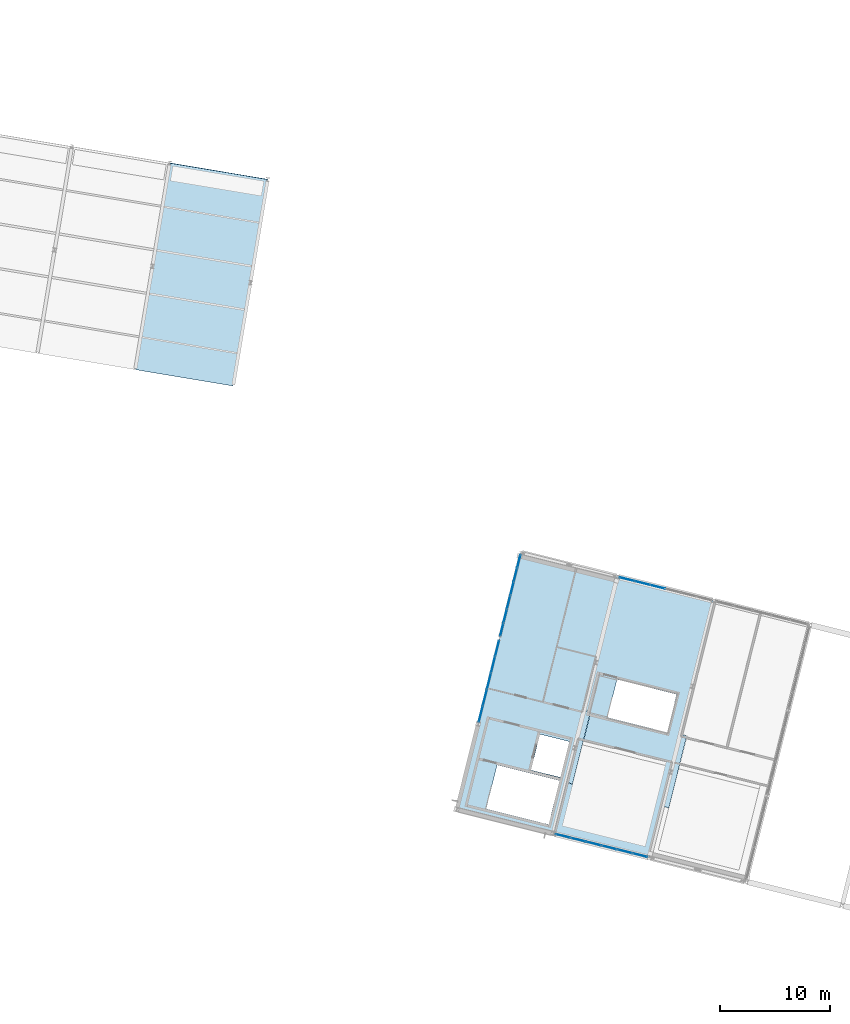
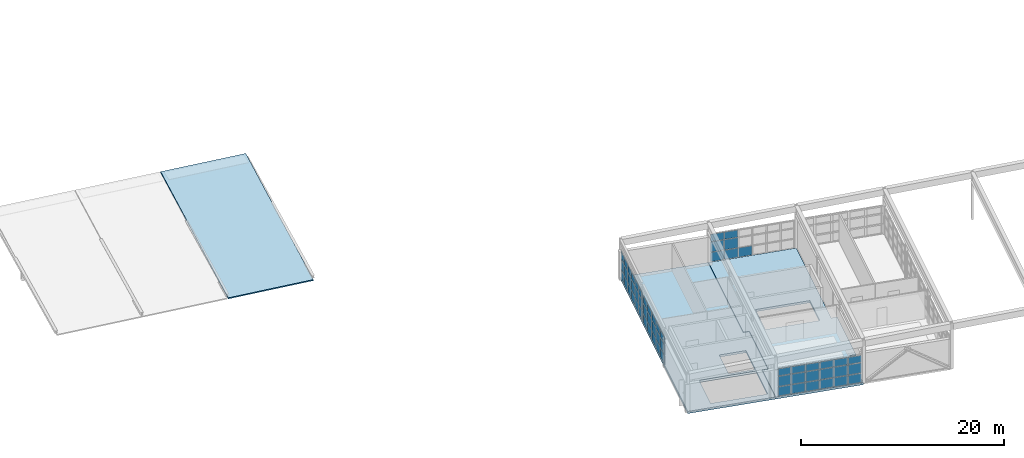
# One storey, part 19 of 27: 58 plates, 3 slabs, 4 elements without a shape of their own.
"""IFC4 building model written with IfcOpenShell, lengths in metres."""

from ifc_helpers import new_model, si_unit, direction, frame, origin, origin_2d, place, context, subcontext, project, spatial, polyline, rectangle, outline, extrude, material, layer, layer_set, type_object, element, aggregate, save


model = new_model("IFC4")

# Units and contexts
model_context = context("Model", 3, precision=1e-05, world=origin(), true_north=direction((0.0, 1.0)))
body_context = subcontext(model_context, "Body", "Model", "MODEL_VIEW")
ifc_project = project(units=[si_unit("LENGTHUNIT", "METRE"), si_unit("AREAUNIT", "SQUARE_METRE"), si_unit("VOLUMEUNIT", "CUBIC_METRE"), si_unit("PLANEANGLEUNIT", "RADIAN"), si_unit("MASSUNIT", "GRAM", prefix="KILO")], contexts=[model_context])

# Site, building, storey
site_placement = place(None, origin())
site = spatial("IfcSite", under=ifc_project, at=site_placement, CompositionType="ELEMENT")
building_placement = place(site_placement, origin())
building = spatial("IfcBuilding", under=site, at=building_placement, Name="Vireo Bluff Cable Station", CompositionType="ELEMENT")
storey_placement = place(building_placement, frame((0.0, 0.0, 19.199951171875)))
storey = spatial("IfcBuildingStorey", under=building, at=storey_placement, Name="L04", CompositionType="ELEMENT", Elevation=19.199951171875)

# Curtain wall, plates
ifc_material_1 = material(Name="Anodized Aluminium 6063-T6", Category="aluminium")
ifc_layer_1 = layer(ifc_material_1, 0.179931640625, Name="Anodized Aluminium 6063-T6")
ifc_layer_set_1 = layer_set([ifc_layer_1], Name="Anodized Aluminium 6063-T6")
curtain_wall_type_1 = type_object("IfcCurtainWallType", Name="CW-UNIT-1500", PredefinedType="USERDEFINED", material=ifc_layer_set_1)
curtain_wall_1_placement = place(storey_placement, origin())
curtain_wall_1 = element("IfcCurtainWall", 1, at=curtain_wall_1_placement, inside=storey, type_object=curtain_wall_type_1, Name="V1 L04 south curtain wall CW-031", ObjectType="UNITISED CURTAIN WALL", PredefinedType="USERDEFINED")
ifc_material_2 = material(Name="Laminated Low-E Insulated Glass", Category="glass")
ifc_layer_2 = layer(ifc_material_2, 0.031982421875, Name="Laminated Low-E Insulated Glass")
ifc_layer_set_2 = layer_set([ifc_layer_2], Name="Laminated Low-E Insulated Glass")
plate_type_1 = type_object("IfcPlateType", Name="CWP-32-2", PredefinedType="CURTAIN_PANEL", material=ifc_layer_set_2)
plate_1_placement = place(storey_placement, frame((70.59326171875, 33.86279296875, 0.080078125), z_axis=(0.0, 0.0, 1.0), x_axis=(-0.970295730477, 0.241921878749, 0.0)))
plate_1 = element("IfcPlate", 2, at=plate_1_placement, type_object=plate_type_1, Name="CW-031 panel 1.1", PredefinedType="CURTAIN_PANEL", context=body_context, shape_type="SweptSolid", body=[
    extrude(rectangle(XDim=1.32861328125, YDim=0.031982421875, at=origin_2d()), origin(), (0.0, 0.0, 1.0), 1.070068359375),
])
plate_2_placement = place(storey_placement, frame((70.59326171875, 33.86279296875, 1.22998046875), z_axis=(0.0, 0.0, 1.0), x_axis=(-0.970295730477, 0.241921878749, 0.0)))
plate_2 = element("IfcPlate", 3, at=plate_2_placement, type_object=plate_type_1, Name="CW-031 panel 1.2", PredefinedType="CURTAIN_PANEL", context=body_context, shape_type="SweptSolid", body=[
    extrude(rectangle(XDim=1.32861328125, YDim=0.031982421875, at=origin_2d()), origin(), (0.0, 0.0, 1.0), 1.177978515625),
])
plate_3_placement = place(storey_placement, frame((70.59326171875, 33.86279296875, 2.488037109375), z_axis=(0.0, 0.0, 1.0), x_axis=(-0.970295730477, 0.241921878749, 0.0)))
plate_3 = element("IfcPlate", 4, at=plate_3_placement, type_object=plate_type_1, Name="CW-031 panel 1.3", PredefinedType="CURTAIN_PANEL", context=body_context, shape_type="SweptSolid", body=[
    extrude(rectangle(XDim=1.32861328125, YDim=0.031982421875, at=origin_2d()), origin(), (0.0, 0.0, 1.0), 0.83203125),
])
plate_4_placement = place(storey_placement, frame((69.207275390625, 34.20849609375, 0.080078125), z_axis=(0.0, 0.0, 1.0), x_axis=(-0.970295730477, 0.241921878749, 0.0)))
plate_4 = element("IfcPlate", 5, at=plate_4_placement, type_object=plate_type_1, Name="CW-031 panel 2.1", PredefinedType="CURTAIN_PANEL", context=body_context, shape_type="SweptSolid", body=[
    extrude(rectangle(XDim=1.368408203125, YDim=0.031982421875, at=origin_2d()), origin(), (0.0, 0.0, 1.0), 1.070068359375),
])
plate_5_placement = place(storey_placement, frame((69.207275390625, 34.20849609375, 1.22998046875), z_axis=(0.0, 0.0, 1.0), x_axis=(-0.970295730477, 0.241921878749, 0.0)))
plate_5 = element("IfcPlate", 6, at=plate_5_placement, type_object=plate_type_1, Name="CW-031 panel 2.2", PredefinedType="CURTAIN_PANEL", context=body_context, shape_type="SweptSolid", body=[
    extrude(rectangle(XDim=1.368408203125, YDim=0.031982421875, at=origin_2d()), origin(), (0.0, 0.0, 1.0), 1.177978515625),
])
plate_6_placement = place(storey_placement, frame((69.207275390625, 34.20849609375, 2.488037109375), z_axis=(0.0, 0.0, 1.0), x_axis=(-0.970295730477, 0.241921878749, 0.0)))
plate_6 = element("IfcPlate", 7, at=plate_6_placement, type_object=plate_type_1, Name="CW-031 panel 2.3", PredefinedType="CURTAIN_PANEL", context=body_context, shape_type="SweptSolid", body=[
    extrude(rectangle(XDim=1.368408203125, YDim=0.031982421875, at=origin_2d()), origin(), (0.0, 0.0, 1.0), 0.83203125),
])
plate_7_placement = place(storey_placement, frame((67.8017578125, 34.558837890625, 0.080078125), z_axis=(0.0, 0.0, 1.0), x_axis=(-0.970295730477, 0.241921878749, 0.0)))
plate_7 = element("IfcPlate", 8, at=plate_7_placement, type_object=plate_type_1, Name="CW-031 panel 3.1", PredefinedType="CURTAIN_PANEL", context=body_context, shape_type="SweptSolid", body=[
    extrude(rectangle(XDim=1.368408203125, YDim=0.031982421875, at=origin_2d()), origin(), (0.0, 0.0, 1.0), 1.070068359375),
])
plate_8_placement = place(storey_placement, frame((67.8017578125, 34.558837890625, 1.22998046875), z_axis=(0.0, 0.0, 1.0), x_axis=(-0.970295730477, 0.241921878749, 0.0)))
plate_8 = element("IfcPlate", 9, at=plate_8_placement, type_object=plate_type_1, Name="CW-031 panel 3.2", PredefinedType="CURTAIN_PANEL", context=body_context, shape_type="SweptSolid", body=[
    extrude(rectangle(XDim=1.368408203125, YDim=0.031982421875, at=origin_2d()), origin(), (0.0, 0.0, 1.0), 1.177978515625),
])
plate_9_placement = place(storey_placement, frame((67.8017578125, 34.558837890625, 2.488037109375), z_axis=(0.0, 0.0, 1.0), x_axis=(-0.970295730477, 0.241921878749, 0.0)))
plate_9 = element("IfcPlate", 10, at=plate_9_placement, type_object=plate_type_1, Name="CW-031 panel 3.3", PredefinedType="CURTAIN_PANEL", context=body_context, shape_type="SweptSolid", body=[
    extrude(rectangle(XDim=1.368408203125, YDim=0.031982421875, at=origin_2d()), origin(), (0.0, 0.0, 1.0), 0.83203125),
])
plate_10_placement = place(storey_placement, frame((66.396240234375, 34.9091796875, 0.080078125), z_axis=(0.0, 0.0, 1.0), x_axis=(-0.970295730477, 0.241921878749, 0.0)))
plate_10 = element("IfcPlate", 11, at=plate_10_placement, type_object=plate_type_1, Name="CW-031 panel 4.1", PredefinedType="CURTAIN_PANEL", context=body_context, shape_type="SweptSolid", body=[
    extrude(rectangle(XDim=1.368408203125, YDim=0.031982421875, at=origin_2d()), origin(), (0.0, 0.0, 1.0), 1.070068359375),
])
plate_11_placement = place(storey_placement, frame((66.396240234375, 34.9091796875, 1.22998046875), z_axis=(0.0, 0.0, 1.0), x_axis=(-0.970295730477, 0.241921878749, 0.0)))
plate_11 = element("IfcPlate", 12, at=plate_11_placement, type_object=plate_type_1, Name="CW-031 panel 4.2", PredefinedType="CURTAIN_PANEL", context=body_context, shape_type="SweptSolid", body=[
    extrude(rectangle(XDim=1.368408203125, YDim=0.031982421875, at=origin_2d()), origin(), (0.0, 0.0, 1.0), 1.177978515625),
])
plate_12_placement = place(storey_placement, frame((66.396240234375, 34.9091796875, 2.488037109375), z_axis=(0.0, 0.0, 1.0), x_axis=(-0.970295730477, 0.241921878749, 0.0)))
plate_12 = element("IfcPlate", 13, at=plate_12_placement, type_object=plate_type_1, Name="CW-031 panel 4.3", PredefinedType="CURTAIN_PANEL", context=body_context, shape_type="SweptSolid", body=[
    extrude(rectangle(XDim=1.368408203125, YDim=0.031982421875, at=origin_2d()), origin(), (0.0, 0.0, 1.0), 0.83203125),
])
plate_13_placement = place(storey_placement, frame((64.99072265625, 35.259765625, 0.080078125), z_axis=(0.0, 0.0, 1.0), x_axis=(-0.970295730477, 0.241921878749, 0.0)))
plate_13 = element("IfcPlate", 14, at=plate_13_placement, type_object=plate_type_1, Name="CW-031 panel 5.1", PredefinedType="CURTAIN_PANEL", context=body_context, shape_type="SweptSolid", body=[
    extrude(rectangle(XDim=1.368408203125, YDim=0.031982421875, at=origin_2d()), origin(), (0.0, 0.0, 1.0), 1.070068359375),
])
plate_14_placement = place(storey_placement, frame((64.99072265625, 35.259765625, 1.22998046875), z_axis=(0.0, 0.0, 1.0), x_axis=(-0.970295730477, 0.241921878749, 0.0)))
plate_14 = element("IfcPlate", 15, at=plate_14_placement, type_object=plate_type_1, Name="CW-031 panel 5.2", PredefinedType="CURTAIN_PANEL", context=body_context, shape_type="SweptSolid", body=[
    extrude(rectangle(XDim=1.368408203125, YDim=0.031982421875, at=origin_2d()), origin(), (0.0, 0.0, 1.0), 1.177978515625),
])
plate_15_placement = place(storey_placement, frame((64.99072265625, 35.259765625, 2.488037109375), z_axis=(0.0, 0.0, 1.0), x_axis=(-0.970295730477, 0.241921878749, 0.0)))
plate_15 = element("IfcPlate", 16, at=plate_15_placement, type_object=plate_type_1, Name="CW-031 panel 5.3", PredefinedType="CURTAIN_PANEL", context=body_context, shape_type="SweptSolid", body=[
    extrude(rectangle(XDim=1.368408203125, YDim=0.031982421875, at=origin_2d()), origin(), (0.0, 0.0, 1.0), 0.83203125),
])
plate_16_placement = place(storey_placement, frame((63.604736328125, 35.605224609375, 0.080078125), z_axis=(0.0, 0.0, 1.0), x_axis=(-0.970295730477, 0.241921878749, 0.0)))
plate_16 = element("IfcPlate", 17, at=plate_16_placement, type_object=plate_type_1, Name="CW-031 panel 6.1", PredefinedType="CURTAIN_PANEL", context=body_context, shape_type="SweptSolid", body=[
    extrude(rectangle(XDim=1.32861328125, YDim=0.031982421875, at=origin_2d()), origin(), (0.0, 0.0, 1.0), 1.070068359375),
])
plate_17_placement = place(storey_placement, frame((63.604736328125, 35.605224609375, 1.22998046875), z_axis=(0.0, 0.0, 1.0), x_axis=(-0.970295730477, 0.241921878749, 0.0)))
plate_17 = element("IfcPlate", 18, at=plate_17_placement, type_object=plate_type_1, Name="CW-031 panel 6.2", PredefinedType="CURTAIN_PANEL", context=body_context, shape_type="SweptSolid", body=[
    extrude(rectangle(XDim=1.32861328125, YDim=0.031982421875, at=origin_2d()), origin(), (0.0, 0.0, 1.0), 1.177978515625),
])
plate_18_placement = place(storey_placement, frame((63.604736328125, 35.605224609375, 2.488037109375), z_axis=(0.0, 0.0, 1.0), x_axis=(-0.970295730477, 0.241921878749, 0.0)))
plate_18 = element("IfcPlate", 19, at=plate_18_placement, type_object=plate_type_1, Name="CW-031 panel 6.3", PredefinedType="CURTAIN_PANEL", context=body_context, shape_type="SweptSolid", body=[
    extrude(rectangle(XDim=1.32861328125, YDim=0.031982421875, at=origin_2d()), origin(), (0.0, 0.0, 1.0), 0.83203125),
])
aggregate(curtain_wall_1, [plate_1, plate_2, plate_3, plate_4, plate_5, plate_6, plate_7, plate_8, plate_9, plate_10, plate_11, plate_12, plate_13, plate_14, plate_15, plate_16, plate_17, plate_18])

ifc_layer_3 = layer(ifc_material_1, 0.179931640625, Name="Anodized Aluminium 6063-T6")
ifc_layer_set_3 = layer_set([ifc_layer_3], Name="Anodized Aluminium 6063-T6")
curtain_wall_type_2 = type_object("IfcCurtainWallType", Name="CW-UNIT-1650", PredefinedType="USERDEFINED", material=ifc_layer_set_3)
curtain_wall_2_placement = place(storey_placement, origin())
curtain_wall_2 = element("IfcCurtainWall", 20, at=curtain_wall_2_placement, inside=storey, type_object=curtain_wall_type_2, Name="V1 L04 west curtain wall CW-032", ObjectType="UNITISED CURTAIN WALL", PredefinedType="USERDEFINED")
ifc_layer_4 = layer(ifc_material_2, 0.035888671875, Name="Laminated Low-E Insulated Glass")
ifc_layer_set_4 = layer_set([ifc_layer_4], Name="Laminated Low-E Insulated Glass")
plate_type_2 = type_object("IfcPlateType", Name="CWP-36-3", PredefinedType="CURTAIN_PANEL", material=ifc_layer_set_4)
plate_19_placement = place(storey_placement, frame((56.163330078125, 46.676513671875, 0.06494140625), z_axis=(0.0, 0.0, 1.0), x_axis=(0.241921816345, 0.970295746037, 0.0)))
plate_19 = element("IfcPlate", 21, at=plate_19_placement, type_object=plate_type_2, Name="CW-032 panel 1.1", PredefinedType="CURTAIN_PANEL", context=body_context, shape_type="SweptSolid", body=[
    extrude(rectangle(XDim=1.440185546875, YDim=0.035888671875, at=origin_2d()), origin(), (0.0, 0.0, 1.0), 1.092529296875),
])
plate_20_placement = place(storey_placement, frame((56.163330078125, 46.676513671875, 1.22265625), z_axis=(0.0, 0.0, 1.0), x_axis=(0.241921816345, 0.970295746037, 0.0)))
plate_20 = element("IfcPlate", 22, at=plate_20_placement, type_object=plate_type_2, Name="CW-032 panel 1.2", PredefinedType="CURTAIN_PANEL", context=body_context, shape_type="SweptSolid", body=[
    extrude(rectangle(XDim=1.440185546875, YDim=0.035888671875, at=origin_2d()), origin(), (0.0, 0.0, 1.0), 1.193115234375),
])
plate_21_placement = place(storey_placement, frame((56.163330078125, 46.676513671875, 2.48046875), z_axis=(0.0, 0.0, 1.0), x_axis=(0.241921816345, 0.970295746037, 0.0)))
plate_21 = element("IfcPlate", 23, at=plate_21_placement, type_object=plate_type_2, Name="CW-032 panel 1.3", PredefinedType="CURTAIN_PANEL", context=body_context, shape_type="SweptSolid", body=[
    extrude(rectangle(XDim=1.440185546875, YDim=0.035888671875, at=origin_2d()), origin(), (0.0, 0.0, 1.0), 0.8544921875),
])
plate_22_placement = place(storey_placement, frame((56.53125, 48.152587890625, 0.06494140625), z_axis=(0.0, 0.0, 1.0), x_axis=(0.241921816345, 0.970295746037, 0.0)))
plate_22 = element("IfcPlate", 24, at=plate_22_placement, type_object=plate_type_2, Name="CW-032 panel 2.1", PredefinedType="CURTAIN_PANEL", context=body_context, shape_type="SweptSolid", body=[
    extrude(rectangle(XDim=1.47265625, YDim=0.035888671875, at=origin_2d()), origin(), (0.0, 0.0, 1.0), 1.092529296875),
])
plate_23_placement = place(storey_placement, frame((56.53125, 48.152587890625, 1.22265625), z_axis=(0.0, 0.0, 1.0), x_axis=(0.241921816345, 0.970295746037, 0.0)))
plate_23 = element("IfcPlate", 25, at=plate_23_placement, type_object=plate_type_2, Name="CW-032 panel 2.2", PredefinedType="CURTAIN_PANEL", context=body_context, shape_type="SweptSolid", body=[
    extrude(rectangle(XDim=1.47265625, YDim=0.035888671875, at=origin_2d()), origin(), (0.0, 0.0, 1.0), 1.193115234375),
])
plate_24_placement = place(storey_placement, frame((56.53125, 48.152587890625, 2.48046875), z_axis=(0.0, 0.0, 1.0), x_axis=(0.241921816345, 0.970295746037, 0.0)))
plate_24 = element("IfcPlate", 26, at=plate_24_placement, type_object=plate_type_2, Name="CW-032 panel 2.3", PredefinedType="CURTAIN_PANEL", context=body_context, shape_type="SweptSolid", body=[
    extrude(rectangle(XDim=1.47265625, YDim=0.035888671875, at=origin_2d()), origin(), (0.0, 0.0, 1.0), 0.8544921875),
])
plate_25_placement = place(storey_placement, frame((56.9033203125, 49.64453125, 0.06494140625), z_axis=(0.0, 0.0, 1.0), x_axis=(0.241921816345, 0.970295746037, 0.0)))
plate_25 = element("IfcPlate", 27, at=plate_25_placement, type_object=plate_type_2, Name="CW-032 panel 3.1", PredefinedType="CURTAIN_PANEL", context=body_context, shape_type="SweptSolid", body=[
    extrude(rectangle(XDim=1.47265625, YDim=0.035888671875, at=origin_2d()), origin(), (0.0, 0.0, 1.0), 1.092529296875),
])
plate_26_placement = place(storey_placement, frame((56.9033203125, 49.64453125, 1.22265625), z_axis=(0.0, 0.0, 1.0), x_axis=(0.241921816345, 0.970295746037, 0.0)))
plate_26 = element("IfcPlate", 28, at=plate_26_placement, type_object=plate_type_2, Name="CW-032 panel 3.2", PredefinedType="CURTAIN_PANEL", context=body_context, shape_type="SweptSolid", body=[
    extrude(rectangle(XDim=1.47265625, YDim=0.035888671875, at=origin_2d()), origin(), (0.0, 0.0, 1.0), 1.193115234375),
])
plate_27_placement = place(storey_placement, frame((56.9033203125, 49.64453125, 2.48046875), z_axis=(0.0, 0.0, 1.0), x_axis=(0.241921816345, 0.970295746037, 0.0)))
plate_27 = element("IfcPlate", 29, at=plate_27_placement, type_object=plate_type_2, Name="CW-032 panel 3.3", PredefinedType="CURTAIN_PANEL", context=body_context, shape_type="SweptSolid", body=[
    extrude(rectangle(XDim=1.47265625, YDim=0.035888671875, at=origin_2d()), origin(), (0.0, 0.0, 1.0), 0.8544921875),
])
plate_28_placement = place(storey_placement, frame((57.275390625, 51.136474609375, 0.06494140625), z_axis=(0.0, 0.0, 1.0), x_axis=(0.241921816345, 0.970295746037, 0.0)))
plate_28 = element("IfcPlate", 30, at=plate_28_placement, type_object=plate_type_2, Name="CW-032 panel 4.1", PredefinedType="CURTAIN_PANEL", context=body_context, shape_type="SweptSolid", body=[
    extrude(rectangle(XDim=1.47265625, YDim=0.035888671875, at=origin_2d()), origin(), (0.0, 0.0, 1.0), 1.092529296875),
])
plate_29_placement = place(storey_placement, frame((57.275390625, 51.136474609375, 1.22265625), z_axis=(0.0, 0.0, 1.0), x_axis=(0.241921816345, 0.970295746037, 0.0)))
plate_29 = element("IfcPlate", 31, at=plate_29_placement, type_object=plate_type_2, Name="CW-032 panel 4.2", PredefinedType="CURTAIN_PANEL", context=body_context, shape_type="SweptSolid", body=[
    extrude(rectangle(XDim=1.47265625, YDim=0.035888671875, at=origin_2d()), origin(), (0.0, 0.0, 1.0), 1.193115234375),
])
plate_30_placement = place(storey_placement, frame((57.275390625, 51.136474609375, 2.48046875), z_axis=(0.0, 0.0, 1.0), x_axis=(0.241921816345, 0.970295746037, 0.0)))
plate_30 = element("IfcPlate", 32, at=plate_30_placement, type_object=plate_type_2, Name="CW-032 panel 4.3", PredefinedType="CURTAIN_PANEL", context=body_context, shape_type="SweptSolid", body=[
    extrude(rectangle(XDim=1.47265625, YDim=0.035888671875, at=origin_2d()), origin(), (0.0, 0.0, 1.0), 0.8544921875),
])
plate_31_placement = place(storey_placement, frame((57.643310546875, 52.612548828125, 0.06494140625), z_axis=(0.0, 0.0, 1.0), x_axis=(0.241921816345, 0.970295746037, 0.0)))
plate_31 = element("IfcPlate", 33, at=plate_31_placement, type_object=plate_type_2, Name="CW-032 panel 5.1", PredefinedType="CURTAIN_PANEL", context=body_context, shape_type="SweptSolid", body=[
    extrude(rectangle(XDim=1.440185546875, YDim=0.035888671875, at=origin_2d()), origin(), (0.0, 0.0, 1.0), 1.092529296875),
])
plate_32_placement = place(storey_placement, frame((57.643310546875, 52.612548828125, 1.22265625), z_axis=(0.0, 0.0, 1.0), x_axis=(0.241921816345, 0.970295746037, 0.0)))
plate_32 = element("IfcPlate", 34, at=plate_32_placement, type_object=plate_type_2, Name="CW-032 panel 5.2", PredefinedType="CURTAIN_PANEL", context=body_context, shape_type="SweptSolid", body=[
    extrude(rectangle(XDim=1.440185546875, YDim=0.035888671875, at=origin_2d()), origin(), (0.0, 0.0, 1.0), 1.193115234375),
])
plate_33_placement = place(storey_placement, frame((57.643310546875, 52.612548828125, 2.48046875), z_axis=(0.0, 0.0, 1.0), x_axis=(0.241921816345, 0.970295746037, 0.0)))
plate_33 = element("IfcPlate", 35, at=plate_33_placement, type_object=plate_type_2, Name="CW-032 panel 5.3", PredefinedType="CURTAIN_PANEL", context=body_context, shape_type="SweptSolid", body=[
    extrude(rectangle(XDim=1.440185546875, YDim=0.035888671875, at=origin_2d()), origin(), (0.0, 0.0, 1.0), 0.8544921875),
])
aggregate(curtain_wall_2, [plate_19, plate_20, plate_21, plate_22, plate_23, plate_24, plate_25, plate_26, plate_27, plate_28, plate_29, plate_30, plate_31, plate_32, plate_33])

ifc_layer_5 = layer(ifc_material_1, 0.179931640625, Name="Anodized Aluminium 6063-T6")
ifc_layer_set_5 = layer_set([ifc_layer_5], Name="Anodized Aluminium 6063-T6")
curtain_wall_type_3 = type_object("IfcCurtainWallType", Name="CW-UNIT-1400", PredefinedType="USERDEFINED", material=ifc_layer_set_5)
curtain_wall_3_placement = place(storey_placement, origin())
curtain_wall_3 = element("IfcCurtainWall", 36, at=curtain_wall_3_placement, inside=storey, type_object=curtain_wall_type_3, Name="V1 L04 west curtain wall CW-033", ObjectType="UNITISED CURTAIN WALL", PredefinedType="USERDEFINED")
ifc_material_3 = material(Name="Insulated Spandrel Glass Panel", Category="glass")
ifc_layer_6 = layer(ifc_material_3, 0.0419921875, Name="Insulated Spandrel Glass Panel")
ifc_layer_set_6 = layer_set([ifc_layer_6], Name="Insulated Spandrel Glass Panel")
plate_type_3 = type_object("IfcPlateType", Name="CWP-42-4", PredefinedType="CURTAIN_PANEL", material=ifc_layer_set_6)
plate_34_placement = place(storey_placement, frame((58.068359375, 54.31689453125, 0.0751953125), z_axis=(0.0, 0.0, 1.0), x_axis=(0.241921907793, 0.970295723236, 0.0)))
plate_34 = element("IfcPlate", 37, at=plate_34_placement, type_object=plate_type_3, Name="CW-033 panel 1.1", PredefinedType="CURTAIN_PANEL", context=body_context, shape_type="SweptSolid", body=[
    extrude(rectangle(XDim=1.172607421875, YDim=0.0419921875, at=origin_2d()), origin(), (0.0, 0.0, 1.0), 1.077392578125),
])
plate_35_placement = place(storey_placement, frame((58.068359375, 54.31689453125, 1.2275390625), z_axis=(0.0, 0.0, 1.0), x_axis=(0.241921907793, 0.970295723236, 0.0)))
plate_35 = element("IfcPlate", 38, at=plate_35_placement, type_object=plate_type_3, Name="CW-033 panel 1.2", PredefinedType="CURTAIN_PANEL", context=body_context, shape_type="SweptSolid", body=[
    extrude(rectangle(XDim=1.172607421875, YDim=0.0419921875, at=origin_2d()), origin(), (0.0, 0.0, 1.0), 1.18310546875),
])
plate_36_placement = place(storey_placement, frame((58.068359375, 54.31689453125, 2.4853515625), z_axis=(0.0, 0.0, 1.0), x_axis=(0.241921907793, 0.970295723236, 0.0)))
plate_36 = element("IfcPlate", 39, at=plate_36_placement, type_object=plate_type_3, Name="CW-033 panel 1.3", PredefinedType="CURTAIN_PANEL", context=body_context, shape_type="SweptSolid", body=[
    extrude(rectangle(XDim=1.172607421875, YDim=0.0419921875, at=origin_2d()), origin(), (0.0, 0.0, 1.0), 0.839599609375),
])
plate_37_placement = place(storey_placement, frame((58.37451171875, 55.545654296875, 0.0751953125), z_axis=(0.0, 0.0, 1.0), x_axis=(0.241921907793, 0.970295723236, 0.0)))
plate_37 = element("IfcPlate", 40, at=plate_37_placement, type_object=plate_type_3, Name="CW-033 panel 2.1", PredefinedType="CURTAIN_PANEL", context=body_context, shape_type="SweptSolid", body=[
    extrude(rectangle(XDim=1.210205078125, YDim=0.0419921875, at=origin_2d()), origin(), (0.0, 0.0, 1.0), 1.077392578125),
])
plate_38_placement = place(storey_placement, frame((58.37451171875, 55.545654296875, 1.2275390625), z_axis=(0.0, 0.0, 1.0), x_axis=(0.241921907793, 0.970295723236, 0.0)))
plate_38 = element("IfcPlate", 41, at=plate_38_placement, type_object=plate_type_3, Name="CW-033 panel 2.2", PredefinedType="CURTAIN_PANEL", context=body_context, shape_type="SweptSolid", body=[
    extrude(rectangle(XDim=1.210205078125, YDim=0.0419921875, at=origin_2d()), origin(), (0.0, 0.0, 1.0), 1.18310546875),
])
plate_39_placement = place(storey_placement, frame((58.37451171875, 55.545654296875, 2.4853515625), z_axis=(0.0, 0.0, 1.0), x_axis=(0.241921907793, 0.970295723236, 0.0)))
plate_39 = element("IfcPlate", 42, at=plate_39_placement, type_object=plate_type_3, Name="CW-033 panel 2.3", PredefinedType="CURTAIN_PANEL", context=body_context, shape_type="SweptSolid", body=[
    extrude(rectangle(XDim=1.210205078125, YDim=0.0419921875, at=origin_2d()), origin(), (0.0, 0.0, 1.0), 0.839599609375),
])
plate_40_placement = place(storey_placement, frame((58.685546875, 56.792724609375, 0.0751953125), z_axis=(0.0, 0.0, 1.0), x_axis=(0.241921907793, 0.970295723236, 0.0)))
plate_40 = element("IfcPlate", 43, at=plate_40_placement, type_object=plate_type_3, Name="CW-033 panel 3.1", PredefinedType="CURTAIN_PANEL", context=body_context, shape_type="SweptSolid", body=[
    extrude(rectangle(XDim=1.210205078125, YDim=0.0419921875, at=origin_2d()), origin(), (0.0, 0.0, 1.0), 1.077392578125),
])
plate_41_placement = place(storey_placement, frame((58.685546875, 56.792724609375, 1.2275390625), z_axis=(0.0, 0.0, 1.0), x_axis=(0.241921907793, 0.970295723236, 0.0)))
plate_41 = element("IfcPlate", 44, at=plate_41_placement, type_object=plate_type_3, Name="CW-033 panel 3.2", PredefinedType="CURTAIN_PANEL", context=body_context, shape_type="SweptSolid", body=[
    extrude(rectangle(XDim=1.210205078125, YDim=0.0419921875, at=origin_2d()), origin(), (0.0, 0.0, 1.0), 1.18310546875),
])
plate_42_placement = place(storey_placement, frame((58.685546875, 56.792724609375, 2.4853515625), z_axis=(0.0, 0.0, 1.0), x_axis=(0.241921907793, 0.970295723236, 0.0)))
plate_42 = element("IfcPlate", 45, at=plate_42_placement, type_object=plate_type_3, Name="CW-033 panel 3.3", PredefinedType="CURTAIN_PANEL", context=body_context, shape_type="SweptSolid", body=[
    extrude(rectangle(XDim=1.210205078125, YDim=0.0419921875, at=origin_2d()), origin(), (0.0, 0.0, 1.0), 0.839599609375),
])
plate_43_placement = place(storey_placement, frame((58.996337890625, 58.03955078125, 0.0751953125), z_axis=(0.0, 0.0, 1.0), x_axis=(0.241921907793, 0.970295723236, 0.0)))
plate_43 = element("IfcPlate", 46, at=plate_43_placement, type_object=plate_type_3, Name="CW-033 panel 4.1", PredefinedType="CURTAIN_PANEL", context=body_context, shape_type="SweptSolid", body=[
    extrude(rectangle(XDim=1.210205078125, YDim=0.0419921875, at=origin_2d()), origin(), (0.0, 0.0, 1.0), 1.077392578125),
])
plate_44_placement = place(storey_placement, frame((58.996337890625, 58.03955078125, 1.2275390625), z_axis=(0.0, 0.0, 1.0), x_axis=(0.241921907793, 0.970295723236, 0.0)))
plate_44 = element("IfcPlate", 47, at=plate_44_placement, type_object=plate_type_3, Name="CW-033 panel 4.2", PredefinedType="CURTAIN_PANEL", context=body_context, shape_type="SweptSolid", body=[
    extrude(rectangle(XDim=1.210205078125, YDim=0.0419921875, at=origin_2d()), origin(), (0.0, 0.0, 1.0), 1.18310546875),
])
plate_45_placement = place(storey_placement, frame((58.996337890625, 58.03955078125, 2.4853515625), z_axis=(0.0, 0.0, 1.0), x_axis=(0.241921907793, 0.970295723236, 0.0)))
plate_45 = element("IfcPlate", 48, at=plate_45_placement, type_object=plate_type_3, Name="CW-033 panel 4.3", PredefinedType="CURTAIN_PANEL", context=body_context, shape_type="SweptSolid", body=[
    extrude(rectangle(XDim=1.210205078125, YDim=0.0419921875, at=origin_2d()), origin(), (0.0, 0.0, 1.0), 0.839599609375),
])
plate_46_placement = place(storey_placement, frame((59.307373046875, 59.28662109375, 0.0751953125), z_axis=(0.0, 0.0, 1.0), x_axis=(0.241921907793, 0.970295723236, 0.0)))
plate_46 = element("IfcPlate", 49, at=plate_46_placement, type_object=plate_type_3, Name="CW-033 panel 5.1", PredefinedType="CURTAIN_PANEL", context=body_context, shape_type="SweptSolid", body=[
    extrude(rectangle(XDim=1.210205078125, YDim=0.0419921875, at=origin_2d()), origin(), (0.0, 0.0, 1.0), 1.077392578125),
])
plate_47_placement = place(storey_placement, frame((59.307373046875, 59.28662109375, 1.2275390625), z_axis=(0.0, 0.0, 1.0), x_axis=(0.241921907793, 0.970295723236, 0.0)))
plate_47 = element("IfcPlate", 50, at=plate_47_placement, type_object=plate_type_3, Name="CW-033 panel 5.2", PredefinedType="CURTAIN_PANEL", context=body_context, shape_type="SweptSolid", body=[
    extrude(rectangle(XDim=1.210205078125, YDim=0.0419921875, at=origin_2d()), origin(), (0.0, 0.0, 1.0), 1.18310546875),
])
plate_48_placement = place(storey_placement, frame((59.307373046875, 59.28662109375, 2.4853515625), z_axis=(0.0, 0.0, 1.0), x_axis=(0.241921907793, 0.970295723236, 0.0)))
plate_48 = element("IfcPlate", 51, at=plate_48_placement, type_object=plate_type_3, Name="CW-033 panel 5.3", PredefinedType="CURTAIN_PANEL", context=body_context, shape_type="SweptSolid", body=[
    extrude(rectangle(XDim=1.210205078125, YDim=0.0419921875, at=origin_2d()), origin(), (0.0, 0.0, 1.0), 0.839599609375),
])
plate_49_placement = place(storey_placement, frame((59.61376953125, 60.515380859375, 0.0751953125), z_axis=(0.0, 0.0, 1.0), x_axis=(0.241921907793, 0.970295723236, 0.0)))
plate_49 = element("IfcPlate", 52, at=plate_49_placement, type_object=plate_type_3, Name="CW-033 panel 6.1", PredefinedType="CURTAIN_PANEL", context=body_context, shape_type="SweptSolid", body=[
    extrude(rectangle(XDim=1.172607421875, YDim=0.0419921875, at=origin_2d()), origin(), (0.0, 0.0, 1.0), 1.077392578125),
])
plate_50_placement = place(storey_placement, frame((59.61376953125, 60.515380859375, 1.2275390625), z_axis=(0.0, 0.0, 1.0), x_axis=(0.241921907793, 0.970295723236, 0.0)))
plate_50 = element("IfcPlate", 53, at=plate_50_placement, type_object=plate_type_3, Name="CW-033 panel 6.2", PredefinedType="CURTAIN_PANEL", context=body_context, shape_type="SweptSolid", body=[
    extrude(rectangle(XDim=1.172607421875, YDim=0.0419921875, at=origin_2d()), origin(), (0.0, 0.0, 1.0), 1.18310546875),
])
plate_51_placement = place(storey_placement, frame((59.61376953125, 60.515380859375, 2.4853515625), z_axis=(0.0, 0.0, 1.0), x_axis=(0.241921907793, 0.970295723236, 0.0)))
plate_51 = element("IfcPlate", 54, at=plate_51_placement, type_object=plate_type_3, Name="CW-033 panel 6.3", PredefinedType="CURTAIN_PANEL", context=body_context, shape_type="SweptSolid", body=[
    extrude(rectangle(XDim=1.172607421875, YDim=0.0419921875, at=origin_2d()), origin(), (0.0, 0.0, 1.0), 0.839599609375),
])
aggregate(curtain_wall_3, [plate_34, plate_35, plate_36, plate_37, plate_38, plate_39, plate_40, plate_41, plate_42, plate_43, plate_44, plate_45, plate_46, plate_47, plate_48, plate_49, plate_50, plate_51])

curtain_wall_4_placement = place(storey_placement, origin())
curtain_wall_4 = element("IfcCurtainWall", 55, at=curtain_wall_4_placement, inside=storey, type_object=curtain_wall_type_1, Name="V1 L04 north curtain wall CW-034", ObjectType="UNITISED CURTAIN WALL", PredefinedType="USERDEFINED")
ifc_layer_7 = layer(ifc_material_3, 0.048095703125, Name="Insulated Spandrel Glass Panel")
ifc_layer_set_7 = layer_set([ifc_layer_7], Name="Insulated Spandrel Glass Panel")
plate_type_4 = type_object("IfcPlateType", Name="CWP-48-5", PredefinedType="CURTAIN_PANEL", material=ifc_layer_set_7)
plate_52_placement = place(storey_placement, frame((69.406005859375, 58.8935546875, 0.06005859375), z_axis=(0.0, 0.0, 1.0), x_axis=(0.970295730477, -0.241921878749, 0.0)))
plate_52 = element("IfcPlate", 56, at=plate_52_placement, type_object=plate_type_4, Name="CW-034 panel 1.1", PredefinedType="CURTAIN_PANEL", context=body_context, shape_type="SweptSolid", body=[
    extrude(rectangle(XDim=1.3583984375, YDim=0.048095703125, at=origin_2d()), origin(), (0.0, 0.0, 1.0), 1.10009765625),
])
plate_53_placement = place(storey_placement, frame((69.406005859375, 58.8935546875, 1.22021484375), z_axis=(0.0, 0.0, 1.0), x_axis=(0.970295730477, -0.241921878749, 0.0)))
plate_53 = element("IfcPlate", 57, at=plate_53_placement, type_object=plate_type_4, Name="CW-034 panel 1.2", PredefinedType="CURTAIN_PANEL", context=body_context, shape_type="SweptSolid", body=[
    extrude(rectangle(XDim=1.3583984375, YDim=0.048095703125, at=origin_2d()), origin(), (0.0, 0.0, 1.0), 1.197998046875),
])
plate_54_placement = place(storey_placement, frame((69.406005859375, 58.8935546875, 2.47802734375), z_axis=(0.0, 0.0, 1.0), x_axis=(0.970295730477, -0.241921878749, 0.0)))
plate_54 = element("IfcPlate", 58, at=plate_54_placement, type_object=plate_type_4, Name="CW-034 panel 1.3", PredefinedType="CURTAIN_PANEL", context=body_context, shape_type="SweptSolid", body=[
    extrude(rectangle(XDim=1.3583984375, YDim=0.048095703125, at=origin_2d()), origin(), (0.0, 0.0, 1.0), 0.862060546875),
])
plate_55_placement = place(storey_placement, frame((70.796875, 58.546875, 0.06005859375), z_axis=(0.0, 0.0, 1.0), x_axis=(0.970295730477, -0.241921878749, 0.0)))
plate_55 = element("IfcPlate", 59, at=plate_55_placement, type_object=plate_type_4, Name="CW-034 panel 2.1", PredefinedType="CURTAIN_PANEL", context=body_context, shape_type="SweptSolid", body=[
    extrude(rectangle(XDim=1.388427734375, YDim=0.048095703125, at=origin_2d()), origin(), (0.0, 0.0, 1.0), 1.10009765625),
])
plate_56_placement = place(storey_placement, frame((70.796875, 58.546875, 1.22021484375), z_axis=(0.0, 0.0, 1.0), x_axis=(0.970295730477, -0.241921878749, 0.0)))
plate_56 = element("IfcPlate", 60, at=plate_56_placement, type_object=plate_type_4, Name="CW-034 panel 2.2", PredefinedType="CURTAIN_PANEL", context=body_context, shape_type="SweptSolid", body=[
    extrude(rectangle(XDim=1.388427734375, YDim=0.048095703125, at=origin_2d()), origin(), (0.0, 0.0, 1.0), 1.197998046875),
])
plate_57_placement = place(storey_placement, frame((70.796875, 58.546875, 2.47802734375), z_axis=(0.0, 0.0, 1.0), x_axis=(0.970295730477, -0.241921878749, 0.0)))
plate_57 = element("IfcPlate", 61, at=plate_57_placement, type_object=plate_type_4, Name="CW-034 panel 2.3", PredefinedType="CURTAIN_PANEL", context=body_context, shape_type="SweptSolid", body=[
    extrude(rectangle(XDim=1.388427734375, YDim=0.048095703125, at=origin_2d()), origin(), (0.0, 0.0, 1.0), 0.862060546875),
])
plate_58_placement = place(storey_placement, frame((72.202392578125, 58.1962890625, 0.06005859375), z_axis=(0.0, 0.0, 1.0), x_axis=(0.970295730477, -0.241921878749, 0.0)))
plate_58 = element("IfcPlate", 62, at=plate_58_placement, type_object=plate_type_4, Name="CW-034 panel 3.1", PredefinedType="CURTAIN_PANEL", context=body_context, shape_type="SweptSolid", body=[
    extrude(rectangle(XDim=1.388427734375, YDim=0.048095703125, at=origin_2d()), origin(), (0.0, 0.0, 1.0), 1.10009765625),
])
aggregate(curtain_wall_4, [plate_52, plate_53, plate_54, plate_55, plate_56, plate_57, plate_58])

# Slabs
ifc_material_4 = material(Name="Concrete f'c 40 MPa", Category="concrete")
ifc_layer_8 = layer(ifc_material_4, 0.260009765625, Name="Concrete f'c 40 MPa")
ifc_layer_set_8 = layer_set([ifc_layer_8], Name="Concrete f'c 40 MPa")
slab_type_1 = type_object("IfcSlabType", Name="FLOORSLAB-260", PredefinedType="FLOOR", material=ifc_layer_set_8)
slab_1_placement = place(storey_placement, frame((0.0, 0.0, -0.260009765625)))
element("IfcSlab", 63, at=slab_1_placement, inside=storey, type_object=slab_type_1, Name="V1 L04 floor slab bay 1", PredefinedType="FLOOR", context=body_context, shape_type="SweptSolid", body=[
    extrude(outline(polyline([(54.0, 38.0), (62.722900390625, 35.8251953125), (63.88427734375, 40.482421875), (64.48583984375, 40.33251953125), (66.111572265625, 46.85302734375), (65.510009765625, 47.0029296875), (68.529052734375, 59.1123046875), (59.80615234375, 61.287109375), (54.0, 38.0)]), holes=[polyline([(56.64453125, 38.06298828125), (57.635986328125, 42.03955078125), (63.310791015625, 40.624755859375), (62.3193359375, 36.64794921875), (56.64453125, 38.06298828125)]), polyline([(60.717041015625, 41.582275390625), (61.527099609375, 44.8310546875), (64.19384765625, 44.166259765625), (63.3837890625, 40.917236328125), (60.717041015625, 41.582275390625)])]), origin(), (0.0, 0.0, 1.0), 0.260009765625),
])
slab_2_placement = place(storey_placement, frame((0.0, 0.0, -0.260009765625)))
element("IfcSlab", 64, at=slab_2_placement, inside=storey, type_object=slab_type_1, Name="V1 L04 floor slab bay 2", PredefinedType="FLOOR", context=body_context, shape_type="SweptSolid", body=[
    extrude(outline(polyline([(62.742431640625, 35.8203125), (71.45556640625, 33.647705078125), (72.616943359375, 38.30517578125), (73.218505859375, 38.1552734375), (74.84423828125, 44.675537109375), (74.24267578125, 44.82568359375), (77.26171875, 56.934814453125), (68.548583984375, 59.107421875), (65.5341796875, 47.017578125), (66.1357421875, 46.867431640625), (64.500244140625, 40.308349609375), (63.898681640625, 40.458251953125), (62.742431640625, 35.8203125)]), holes=[polyline([(67.6552734375, 46.34521484375), (68.51611328125, 49.7978515625), (73.919189453125, 48.45068359375), (73.058349609375, 44.998046875), (67.6552734375, 46.34521484375)])]), origin(), (0.0, 0.0, 1.0), 0.260009765625),
])
ifc_layer_9 = layer(ifc_material_4, 0.14990234375, Name="Concrete f'c 40 MPa")
ifc_layer_set_9 = layer_set([ifc_layer_9], Name="Concrete f'c 40 MPa")
slab_type_2 = type_object("IfcSlabType", Name="ROOFSLAB-150-4", PredefinedType="ROOF", material=ifc_layer_set_9)
slab_3_placement = place(storey_placement, frame((24.8505859375, 77.893798828125, -0.349853515625), z_axis=(-0.023219554569, -0.138760227153, 0.990053761998), x_axis=(0.986288872188, -0.16502806002, 1.875851e-06)))
element("IfcSlab", 65, at=slab_3_placement, inside=storey, type_object=slab_type_2, Name="V4 sawtooth roof bay 3", PredefinedType="ROOF", context=body_context, shape_type="SweptSolid", body=[
    extrude(outline(polyline([(0.0, 0.0), (8.93995934439804, 0.0), (8.940449464852156, 19.190725095825158), (0.0004498304003986706, 19.190963494031184), (0.0, 0.0)])), origin(), (0.0, 0.0, -1.0), 0.14990234375),
])

save(model, "model.ifc")
